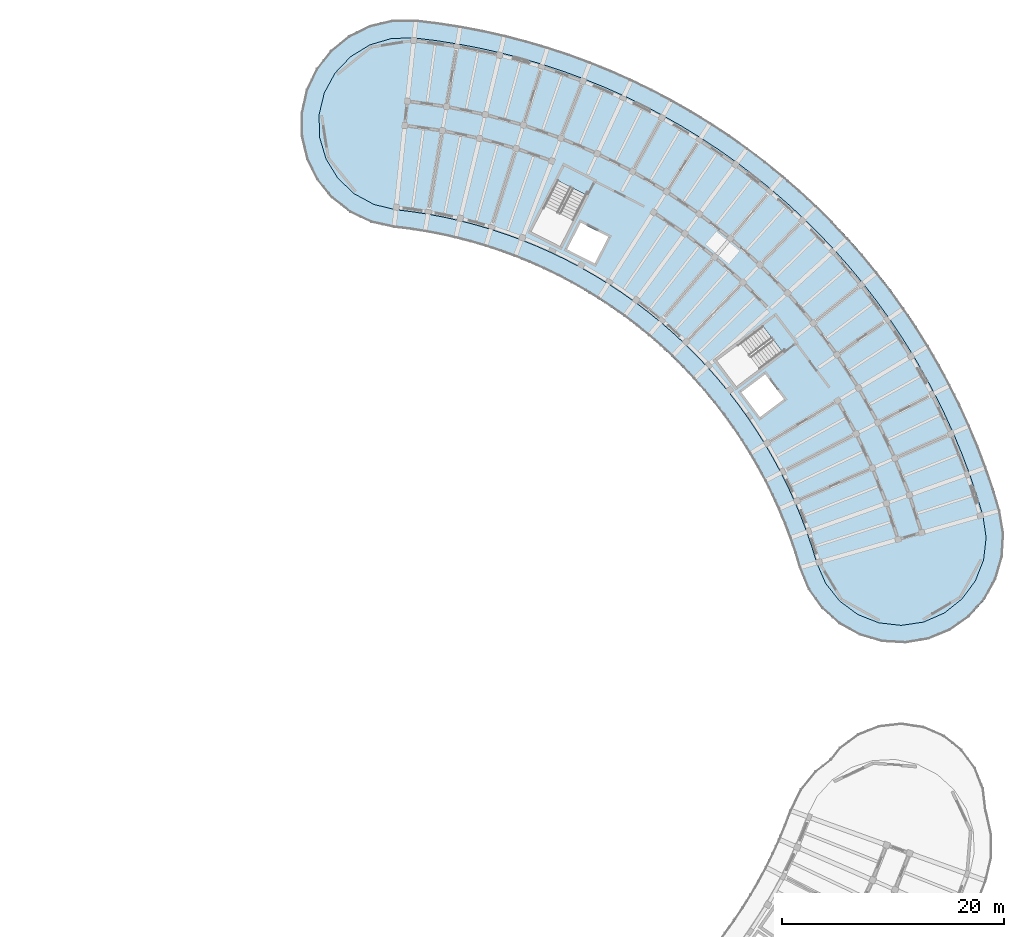
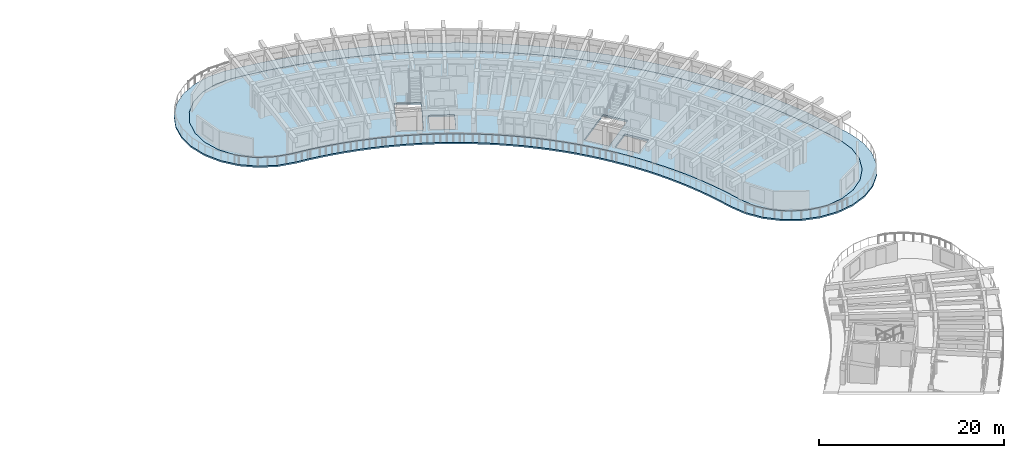
# One storey, part 38 of 81: 2 slabs.
"""IFC4 building model written with IfcOpenShell, lengths in metres."""

from ifc_helpers import new_model, si_unit, direction, frame, origin, place, context, subcontext, project, spatial, polyline, outline, extrude, material, layer, layer_set, type_object, element, save


model = new_model("IFC4")

# Units and contexts
model_context = context("Model", 3, precision=1e-05, world=origin(), true_north=direction((0.0, 1.0)))
body_context = subcontext(model_context, "Body", "Model", "MODEL_VIEW")
ifc_project = project(units=[si_unit("LENGTHUNIT", "METRE"), si_unit("AREAUNIT", "SQUARE_METRE"), si_unit("VOLUMEUNIT", "CUBIC_METRE"), si_unit("PLANEANGLEUNIT", "RADIAN"), si_unit("MASSUNIT", "GRAM", prefix="KILO")], contexts=[model_context])

# Site, building, storey
site_placement = place(None, origin())
site = spatial("IfcSite", under=ifc_project, at=site_placement, CompositionType="ELEMENT")
building_placement = place(site_placement, origin())
building = spatial("IfcBuilding", under=site, at=building_placement, Name="Tanwirah Colonnade Gardens", CompositionType="ELEMENT")
storey_placement = place(building_placement, frame((0.0, 0.0, 18.919921875)))
storey = spatial("IfcBuildingStorey", under=building, at=storey_placement, Name="L05", CompositionType="ELEMENT", Elevation=18.919921875)

# Slabs
ifc_material_1 = material(Name="White architectural precast concrete C40/50", Category="concrete")
ifc_layer_1 = layer(ifc_material_1, 0.199951171875)
ifc_layer_set_1 = layer_set([ifc_layer_1], Name="White architectural precast concrete C40/50")
slab_type_1 = type_object("IfcSlabType", Name="SL-BAL-200", PredefinedType="FLOOR", material=ifc_layer_set_1)
slab_1_placement = place(storey_placement, frame((0.0, 0.0, -0.199951171875)))
element("IfcSlab", 1, at=slab_1_placement, inside=storey, type_object=slab_type_1, Name="Block B L05 Continuous White Balcony Ribbon", PredefinedType="FLOOR", context=body_context, shape_type="SweptSolid", body=[
    extrude(outline(polyline([(162.7529296875, 69.996337890625), (163.96875, 68.2783203125), (165.53662109375, 66.873779296875), (167.37744140625, 65.853271484375), (169.3994140625, 65.267822265625), (171.5009765625, 65.147216796875), (173.57666015625, 65.497314453125), (175.522216796875, 66.30029296875), (177.240478515625, 67.516357421875), (178.64501953125, 69.083984375), (179.66552734375, 70.925048828125), (180.250732421875, 72.947021484375), (180.37158203125, 75.048583984375), (180.021484375, 77.1240234375), (179.431640625, 79.060302734375), (178.778076171875, 80.97607421875), (178.06201171875, 82.869140625), (177.28369140625, 84.73779296875), (176.4443359375, 86.57958984375), (175.544677734375, 88.392822265625), (174.585693359375, 90.17529296875), (173.568603515625, 91.92529296875), (172.494384765625, 93.640869140625), (171.3642578125, 95.320068359375), (170.17919921875, 96.9609375), (168.940673828125, 98.56201171875), (167.650146484375, 100.121337890625), (166.30908203125, 101.63720703125), (164.91845703125, 103.108154296875), (163.48046875, 104.532470703125), (161.99609375, 105.90869140625), (160.467041015625, 107.235107421875), (158.895263671875, 108.510498046875), (157.282470703125, 109.7333984375), (155.6298828125, 110.90234375), (153.93994140625, 112.01611328125), (152.214111328125, 113.07373046875), (150.454345703125, 114.073974609375), (148.66259765625, 115.015380859375), (146.8408203125, 115.8974609375), (144.990966796875, 116.718994140625), (143.114990234375, 117.47900390625), (141.21484375, 118.1767578125), (139.29296875, 118.811767578125), (137.35107421875, 119.3828125), (135.391357421875, 119.8896484375), (133.416259765625, 120.33154296875), (131.427490234375, 120.7080078125), (129.42724609375, 121.018798828125), (127.41796875, 121.263671875), (125.313232421875, 121.247802734375), (123.2646484375, 120.76416015625), (121.375, 119.836669921875), (119.7392578125, 118.511962890625), (118.439208984375, 116.8564453125), (117.5400390625, 114.953369140625), (117.0869140625, 112.897705078125), (117.102783203125, 110.792724609375), (117.58642578125, 108.744140625), (118.513916015625, 106.854736328125), (119.838623046875, 105.21875), (121.494140625, 103.918701171875), (123.397216796875, 103.019775390625), (125.452880859375, 102.566650390625), (126.846923828125, 102.396728515625), (128.234619140625, 102.18115234375), (129.614501953125, 101.919921875), (130.98486328125, 101.61328125), (132.344482421875, 101.26171875), (133.69189453125, 100.865478515625), (135.025390625, 100.425048828125), (136.343505859375, 99.94091796875), (137.645263671875, 99.41357421875), (138.9287109375, 98.843505859375), (140.192626953125, 98.231689453125), (141.435791015625, 97.578369140625), (142.65673828125, 96.884521484375), (143.85400390625, 96.150634765625), (145.026611328125, 95.3779296875), (146.173095703125, 94.566650390625), (147.292236328125, 93.71826171875), (148.3828125, 92.83349609375), (149.443603515625, 91.9130859375), (150.473388671875, 90.95849609375), (151.47119140625, 89.97021484375), (152.435791015625, 88.94970703125), (153.366455078125, 87.89794921875), (154.26171875, 86.81591796875), (155.12109375, 85.705078125), (155.943115234375, 84.566650390625), (156.727294921875, 83.401611328125), (157.47265625, 82.21142578125), (158.178466796875, 80.997314453125), (158.84375, 79.760498046875), (159.468017578125, 78.50244140625), (160.05029296875, 77.224609375), (160.590087890625, 75.92822265625), (161.087158203125, 74.61474609375), (161.54052734375, 73.28564453125), (161.94970703125, 71.942138671875), (162.7529296875, 69.996337890625)]), holes=[polyline([(164.31689453125, 70.526123046875), (163.506591796875, 72.39013671875), (163.082275390625, 73.78271484375), (163.08203125, 73.783447265625), (162.611572265625, 75.16259765625), (162.611328125, 75.1630859375), (162.095947265625, 76.52587890625), (162.095703125, 76.526611328125), (161.535400390625, 77.87158203125), (161.53515625, 77.872314453125), (160.930908203125, 79.1982421875), (160.9306640625, 79.19873046875), (160.282958984375, 80.504150390625), (160.28271484375, 80.504638671875), (159.59228515625, 81.787841796875), (159.592041015625, 81.788330078125), (158.85986328125, 83.048095703125), (158.859619140625, 83.048828125), (158.086181640625, 84.28369140625), (158.0859375, 84.2841796875), (157.272216796875, 85.492919921875), (157.271728515625, 85.493408203125), (156.418701171875, 86.6748046875), (156.41845703125, 86.67529296875), (155.52685546875, 87.827880859375), (155.526611328125, 87.828369140625), (154.597412109375, 88.950927734375), (154.59716796875, 88.951416015625), (153.631591796875, 90.042724609375), (153.631103515625, 90.043212890625), (152.630126953125, 91.10205078125), (152.629638671875, 91.1025390625), (151.594482421875, 92.1279296875), (151.593994140625, 92.12841796875), (150.525390625, 93.118896484375), (150.52490234375, 93.119384765625), (149.42431640625, 94.07421875), (149.423828125, 94.07470703125), (148.292236328125, 94.99267578125), (148.291748046875, 94.9931640625), (147.130615234375, 95.87353515625), (147.130126953125, 95.873779296875), (145.940673828125, 96.71533203125), (145.940185546875, 96.7158203125), (144.723388671875, 97.517578125), (144.722900390625, 97.51806640625), (143.48046875, 98.279296875), (143.47998046875, 98.279541015625), (142.213134765625, 98.99951171875), (142.212646484375, 99.0), (140.9228515625, 99.677734375), (140.922119140625, 99.677978515625), (139.61083984375, 100.31298828125), (139.610107421875, 100.313232421875), (138.2783203125, 100.904541015625), (138.27783203125, 100.90478515625), (136.92724609375, 101.451904296875), (136.9267578125, 101.4521484375), (135.55908203125, 101.95458984375), (135.558349609375, 101.954833984375), (134.1748046875, 102.411865234375), (134.174072265625, 102.411865234375), (132.7763671875, 102.822998046875), (132.775634765625, 102.8232421875), (131.364990234375, 103.18798828125), (131.3642578125, 103.188232421875), (129.9423828125, 103.50634765625), (129.941650390625, 103.506591796875), (128.510009765625, 103.777587890625), (128.509521484375, 103.777587890625), (127.069580078125, 104.00146484375), (127.069091796875, 104.00146484375), (125.623779296875, 104.177490234375), (123.6474609375, 104.652099609375), (121.862548828125, 105.62109375), (120.389404296875, 107.01904296875), (119.328369140625, 108.750732421875), (118.75146484375, 110.697998046875), (118.6982421875, 112.728271484375), (119.17236328125, 114.703125), (120.141357421875, 116.488037109375), (121.53955078125, 117.961181640625), (123.271240234375, 119.0224609375), (125.218505859375, 119.59912109375), (127.249755859375, 119.65234375), (129.204833984375, 119.414306640625), (131.15234375, 119.111572265625), (133.088623046875, 118.744873046875), (135.01171875, 118.314697265625), (136.919677734375, 117.8212890625), (138.810302734375, 117.26513671875), (140.681640625, 116.647216796875), (142.531494140625, 115.9677734375), (144.35791015625, 115.227783203125), (146.158935546875, 114.427978515625), (147.932861328125, 113.5693359375), (149.67724609375, 112.652587890625), (151.390625, 111.6787109375), (153.07080078125, 110.649169921875), (154.71630859375, 109.564453125), (156.3251953125, 108.42626953125), (157.8955078125, 107.23583984375), (159.42578125, 105.994140625), (160.914306640625, 104.70263671875), (162.359619140625, 103.36279296875), (163.759765625, 101.97607421875), (165.113525390625, 100.5439453125), (166.41943359375, 99.068115234375), (167.67578125, 97.5498046875), (168.881591796875, 95.990966796875), (170.035400390625, 94.393310546875), (171.1357421875, 92.758544921875), (172.181640625, 91.08837890625), (173.171875, 89.384521484375), (174.10546875, 87.64892578125), (174.9814453125, 85.883544921875), (175.798828125, 84.09033203125), (176.556396484375, 82.271240234375), (177.253662109375, 80.427978515625), (177.889892578125, 78.562744140625), (178.4638671875, 76.6787109375), (178.76416015625, 74.6689453125), (178.534423828125, 72.651123046875), (177.7900390625, 70.761474609375), (176.58203125, 69.12890625), (174.992431640625, 67.864501953125), (173.130126953125, 67.0546875), (171.121337890625, 66.75439453125), (169.103515625, 66.984375), (167.2138671875, 67.728759765625), (165.581298828125, 68.936767578125), (164.31689453125, 70.526123046875)])]), origin(), (0.0, 0.0, 1.0), 0.199951171875),
])
ifc_material_2 = material(Name="Precast concrete C40/50", Category="concrete")
ifc_layer_2 = layer(ifc_material_2, 0.25)
ifc_layer_set_2 = layer_set([ifc_layer_2], Name="Precast concrete C40/50")
slab_type_2 = type_object("IfcSlabType", Name="SL-RES-250", PredefinedType="FLOOR", material=ifc_layer_set_2)
slab_2_placement = place(storey_placement, frame((0.0, 0.0, -0.25)))
element("IfcSlab", 2, at=slab_2_placement, inside=storey, type_object=slab_type_2, Name="Block B L05 Precast Composite Floor Slab", PredefinedType="FLOOR", context=body_context, shape_type="SweptSolid", body=[
    extrude(outline(polyline([(162.5927734375, 75.156005859375), (163.06298828125, 73.777099609375), (163.48779296875, 72.383056640625), (164.2998046875, 70.515869140625), (165.5673828125, 68.92236328125), (167.2041015625, 67.711181640625), (169.0986328125, 66.96484375), (171.121826171875, 66.734375), (173.135498046875, 67.035400390625), (175.0029296875, 67.84716796875), (176.596435546875, 69.11474609375), (177.8076171875, 70.751708984375), (178.553955078125, 72.646240234375), (178.784423828125, 74.669189453125), (178.4833984375, 76.68310546875), (177.908935546875, 78.56884765625), (177.2724609375, 80.434814453125), (176.574951171875, 82.278564453125), (175.817138671875, 84.098388671875), (174.99951171875, 85.892333984375), (174.123291015625, 87.658203125), (173.189453125, 89.394287109375), (172.19873046875, 91.0986328125), (171.152587890625, 92.76953125), (170.0517578125, 94.40478515625), (168.897705078125, 96.0029296875), (167.69140625, 97.562255859375), (166.4345703125, 99.0810546875), (165.12841796875, 100.5576171875), (163.774169921875, 101.990234375), (162.37353515625, 103.377197265625), (160.927734375, 104.717529296875), (159.438720703125, 106.009521484375), (157.907958984375, 107.25146484375), (156.3369140625, 108.442626953125), (154.7275390625, 109.5810546875), (153.08154296875, 110.666015625), (151.400634765625, 111.696044921875), (149.686767578125, 112.669921875), (147.94189453125, 113.587158203125), (146.16748046875, 114.446044921875), (144.36572265625, 115.24609375), (142.53857421875, 115.986328125), (140.688232421875, 116.666015625), (138.816162109375, 117.284423828125), (136.925048828125, 117.840576171875), (135.016357421875, 118.334228515625), (133.092529296875, 118.7646484375), (131.15576171875, 119.13134765625), (129.207763671875, 119.43408203125), (127.250732421875, 119.67236328125), (125.21533203125, 119.619140625), (123.262939453125, 119.040771484375), (121.52685546875, 117.976806640625), (120.125244140625, 116.499755859375), (119.153564453125, 114.71044921875), (118.67822265625, 112.73046875), (118.7314453125, 110.695068359375), (119.309814453125, 108.74267578125), (120.373779296875, 107.00634765625), (121.850830078125, 105.604736328125), (123.64013671875, 104.63330078125), (125.6201171875, 104.157958984375), (127.066650390625, 103.981689453125), (128.50634765625, 103.758056640625), (129.93798828125, 103.48681640625), (131.35986328125, 103.168701171875), (132.770751953125, 102.803955078125), (134.16845703125, 102.392822265625), (135.552001953125, 101.935791015625), (136.919921875, 101.433349609375), (138.270263671875, 100.88623046875), (139.60205078125, 100.294921875), (140.91357421875, 99.659912109375), (142.203369140625, 98.982177734375), (143.47021484375, 98.26220703125), (144.71240234375, 97.5009765625), (145.92919921875, 96.698974609375), (147.11865234375, 95.857421875), (148.27978515625, 94.977294921875), (149.4111328125, 94.05908203125), (150.51171875, 93.104248046875), (151.580322265625, 92.11376953125), (152.61572265625, 91.08837890625), (153.61669921875, 90.029541015625), (154.58203125, 88.938232421875), (155.510986328125, 87.815673828125), (156.402587890625, 86.6630859375), (157.255615234375, 85.48193359375), (158.0693359375, 84.27294921875), (158.842529296875, 83.0380859375), (159.57470703125, 81.7783203125), (160.26513671875, 80.4951171875), (160.91259765625, 79.18994140625), (161.516845703125, 77.864013671875), (162.0771484375, 76.518798828125), (162.5927734375, 75.156005859375)]), holes=[polyline([(160.4169921875, 91.38427734375), (156.2666015625, 88.256591796875), (154.512939453125, 90.583740234375), (158.663330078125, 93.71142578125), (160.4169921875, 91.38427734375)]), polyline([(158.402587890625, 85.5048828125), (156.717529296875, 87.7412109375), (158.873779296875, 89.365966796875), (160.558837890625, 87.1298828125), (158.402587890625, 85.5048828125)]), polyline([(137.8017578125, 102.199951171875), (140.1611328125, 106.830322265625), (142.757568359375, 105.507568359375), (140.398193359375, 100.876953125), (137.8017578125, 102.199951171875)]), polyline([(142.255126953125, 103.01708984375), (144.75, 101.745849609375), (143.524169921875, 99.34033203125), (141.029541015625, 100.611328125), (142.255126953125, 103.01708984375)])]), origin(), (0.0, 0.0, 1.0), 0.25),
])

save(model, "model.ifc")
